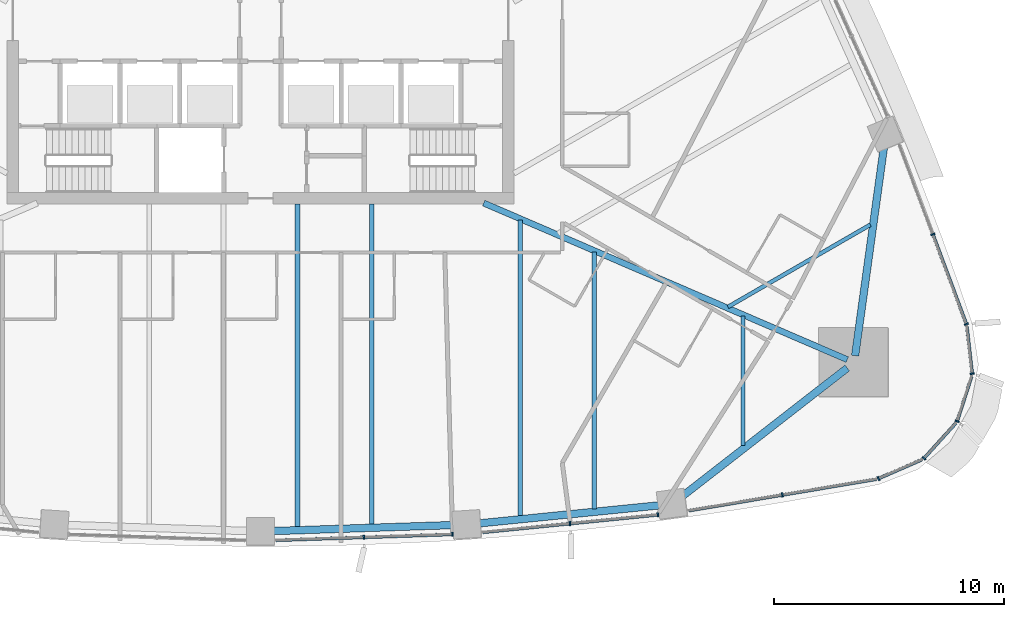
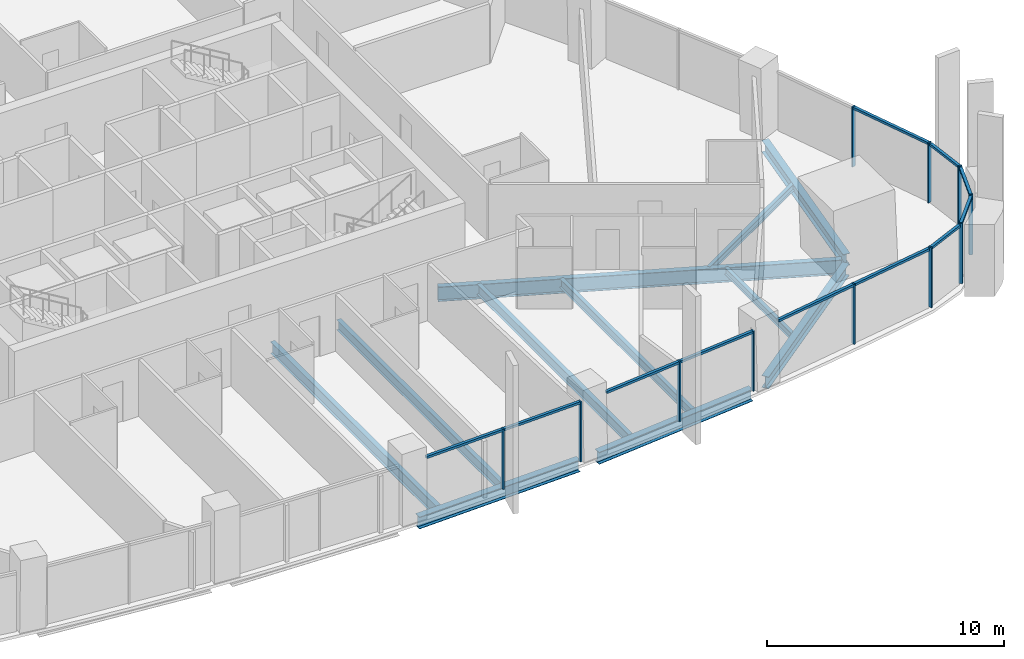
# One storey, part 4 of 22: 22 members, 11 beams, 8 elements without a shape of their own.
"""IFC4 building model written with IfcOpenShell, lengths in metres."""

from ifc_helpers import new_model, si_unit, direction, frame, origin, origin_2d, place, context, subcontext, project, spatial, rectangle, i_section, extrude, material, layer, layer_set, material_profile, profile_set, type_object, element, aggregate, save


model = new_model("IFC4")

# Units and contexts
model_context = context("Model", 3, precision=1e-05, world=origin(), true_north=direction((0.0, 1.0)))
body_context = subcontext(model_context, "Body", "Model", "MODEL_VIEW")
ifc_project = project(units=[si_unit("LENGTHUNIT", "METRE"), si_unit("AREAUNIT", "SQUARE_METRE"), si_unit("VOLUMEUNIT", "CUBIC_METRE"), si_unit("PLANEANGLEUNIT", "RADIAN"), si_unit("MASSUNIT", "GRAM", prefix="KILO")], contexts=[model_context])

# Site, building, storey
site_placement = place(None, origin())
site = spatial("IfcSite", under=ifc_project, at=site_placement, CompositionType="ELEMENT")
building_placement = place(site_placement, origin())
building = spatial("IfcBuilding", under=site, at=building_placement, Name="Sierra Prisma Convention Tower", CompositionType="ELEMENT")
storey_placement = place(building_placement, frame((0.0, 0.0, 96.10009765625)))
storey = spatial("IfcBuildingStorey", under=building, at=storey_placement, Name="L20", CompositionType="ELEMENT", Elevation=96.10009765625)

# Curtain wall, members
ifc_material_1 = material(Name="Aluminium and glass curtain wall", Category="aluminium")
ifc_layer = layer(ifc_material_1, 0.179931640625)
ifc_layer_set = layer_set([ifc_layer], Name="CW-1 Plain shaft curtain wall")
curtain_wall_type = type_object("IfcCurtainWallType", Name="CW-1 Plain shaft curtain wall", PredefinedType="NOTDEFINED", material=ifc_layer_set)
curtain_wall_1_placement = place(storey_placement, origin())
curtain_wall_1 = element("IfcCurtainWall", 1, at=curtain_wall_1_placement, inside=storey, type_object=curtain_wall_type, Name="CW-1 S4 L20", PredefinedType="NOTDEFINED")
ifc_material_2 = material(Name="Aluminium 6063-T6 bronze anodised", Category="aluminium")
ifc_material_profile_1 = material_profile(ifc_material_2, rectangle(XDim=0.179931640625, YDim=0.070068359375, at=origin_2d()), Name="ALU MULLION 70x180")
ifc_profile_set_1 = profile_set([ifc_material_profile_1], Name="Aluminium 6063-T6 bronze anodised")
member_type_1 = type_object("IfcMemberType", Name="CW mullion bronze", PredefinedType="MULLION", material=ifc_profile_set_1)
member_1_placement = place(storey_placement, frame((4.485595703125, -22.460693359375, 0.0), z_axis=(0.0, 0.0, 1.0), x_axis=(-0.033258631213, 0.999446778698, 0.0)))
member_1 = element("IfcMember", 2, at=member_1_placement, type_object=member_type_1, Name="CW-1 mullion S4.2", PredefinedType="MULLION", context=body_context, shape_type="SweptSolid", body=[
    extrude(rectangle(XDim=0.179931640625, YDim=0.070068359375, at=origin_2d()), origin(), (0.0, 0.0, 1.0), 3.099853515625),
])
member_2_placement = place(storey_placement, frame((8.33642578125, -22.33251953125, 0.0), z_axis=(0.0, 0.0, 1.0), x_axis=(-0.033258631213, 0.999446778698, 0.0)))
member_2 = element("IfcMember", 3, at=member_2_placement, type_object=member_type_1, Name="CW-1 mullion S4.3", PredefinedType="MULLION", context=body_context, shape_type="SweptSolid", body=[
    extrude(rectangle(XDim=0.179931640625, YDim=0.070068359375, at=origin_2d()), origin(), (0.0, 0.0, 1.0), 3.099853515625),
])

curtain_wall_2_placement = place(storey_placement, origin())
curtain_wall_2 = element("IfcCurtainWall", 4, at=curtain_wall_2_placement, inside=storey, type_object=curtain_wall_type, Name="CW-1 S5 L20", PredefinedType="NOTDEFINED")
member_3_placement = place(storey_placement, frame((13.43359375, -21.865478515625, 0.0), z_axis=(0.0, 0.0, 1.0), x_axis=(-0.099628739306, 0.995024680249, 0.0)))
member_3 = element("IfcMember", 5, at=member_3_placement, type_object=member_type_1, Name="CW-1 mullion S5.2", PredefinedType="MULLION", context=body_context, shape_type="SweptSolid", body=[
    extrude(rectangle(XDim=0.179931640625, YDim=0.070068359375, at=origin_2d()), origin(), (0.0, 0.0, 1.0), 3.099853515625),
])
member_4_placement = place(storey_placement, frame((17.25146484375, -21.483154296875, 0.0), z_axis=(0.0, 0.0, 1.0), x_axis=(-0.099628739306, 0.995024680249, 0.0)))
member_4 = element("IfcMember", 6, at=member_4_placement, type_object=member_type_1, Name="CW-1 mullion S5.3", PredefinedType="MULLION", context=body_context, shape_type="SweptSolid", body=[
    extrude(rectangle(XDim=0.179931640625, YDim=0.070068359375, at=origin_2d()), origin(), (0.0, 0.0, 1.0), 3.099853515625),
])

# Curtain wall, member
curtain_wall_3_placement = place(storey_placement, origin())
curtain_wall_3 = element("IfcCurtainWall", 7, at=curtain_wall_3_placement, inside=storey, type_object=curtain_wall_type, Name="CW-1 S6 L20", PredefinedType="NOTDEFINED")
member_5_placement = place(storey_placement, frame((22.656494140625, -20.621826171875, 0.0), z_axis=(0.0, 0.0, 1.0), x_axis=(-0.165558035421, 0.986200049132, 0.0)))
member_5 = element("IfcMember", 8, at=member_5_placement, type_object=member_type_1, Name="CW-1 mullion S6.2", PredefinedType="MULLION", context=body_context, shape_type="SweptSolid", body=[
    extrude(rectangle(XDim=0.179931640625, YDim=0.070068359375, at=origin_2d()), origin(), (0.0, 0.0, 1.0), 3.099853515625),
])

curtain_wall_4_placement = place(storey_placement, origin())
curtain_wall_4 = element("IfcCurtainWall", 9, at=curtain_wall_4_placement, inside=storey, type_object=curtain_wall_type, Name="CW-1 SE1 L20", PredefinedType="NOTDEFINED")
member_6_placement = place(storey_placement, frame((26.8251953125, -19.913330078125, 0.0), z_axis=(0.0, 0.0, 1.0), x_axis=(-0.399976158907, 0.916525543728, 0.0)))
member_6 = element("IfcMember", 10, at=member_6_placement, type_object=member_type_1, Name="CW-1 mullion SE1.1", PredefinedType="MULLION", context=body_context, shape_type="SweptSolid", body=[
    extrude(rectangle(XDim=0.179931640625, YDim=0.070068359375, at=origin_2d()), origin(), (0.0, 0.0, 1.0), 3.099853515625),
])

curtain_wall_5_placement = place(storey_placement, origin())
curtain_wall_5 = element("IfcCurtainWall", 11, at=curtain_wall_5_placement, inside=storey, type_object=curtain_wall_type, Name="CW-1 SE2 L20", PredefinedType="NOTDEFINED")
member_7_placement = place(storey_placement, frame((28.802001953125, -19.034912109375, 0.0), z_axis=(0.0, 0.0, 1.0), x_axis=(-0.741494686193, 0.670958739676, 0.0)))
member_7 = element("IfcMember", 12, at=member_7_placement, type_object=member_type_1, Name="CW-1 mullion SE2.1", PredefinedType="MULLION", context=body_context, shape_type="SweptSolid", body=[
    extrude(rectangle(XDim=0.179931640625, YDim=0.070068359375, at=origin_2d()), origin(), (0.0, 0.0, 1.0), 3.099853515625),
])

curtain_wall_6_placement = place(storey_placement, origin())
curtain_wall_6 = element("IfcCurtainWall", 13, at=curtain_wall_6_placement, inside=storey, type_object=curtain_wall_type, Name="CW-1 SE3 L20", PredefinedType="NOTDEFINED")
member_8_placement = place(storey_placement, frame((30.242919921875, -17.421142578125, 0.0), z_axis=(0.0, 0.0, 1.0), x_axis=(-0.951814656547, 0.306673865177, 0.0)))
member_8 = element("IfcMember", 14, at=member_8_placement, type_object=member_type_1, Name="CW-1 mullion SE3.1", PredefinedType="MULLION", context=body_context, shape_type="SweptSolid", body=[
    extrude(rectangle(XDim=0.179931640625, YDim=0.070068359375, at=origin_2d()), origin(), (0.0, 0.0, 1.0), 3.099853515625),
])

curtain_wall_7_placement = place(storey_placement, origin())
curtain_wall_7 = element("IfcCurtainWall", 15, at=curtain_wall_7_placement, inside=storey, type_object=curtain_wall_type, Name="CW-1 SE4 L20", PredefinedType="NOTDEFINED")
member_9_placement = place(storey_placement, frame((30.892578125, -15.35791015625, 0.0), z_axis=(0.0, 0.0, 1.0), x_axis=(-0.993722483539, -0.111873257343, 0.0)))
member_9 = element("IfcMember", 16, at=member_9_placement, type_object=member_type_1, Name="CW-1 mullion SE4.1", PredefinedType="MULLION", context=body_context, shape_type="SweptSolid", body=[
    extrude(rectangle(XDim=0.179931640625, YDim=0.070068359375, at=origin_2d()), origin(), (0.0, 0.0, 1.0), 3.099853515625),
])

# Curtain wall, members
curtain_wall_8_placement = place(storey_placement, origin())
curtain_wall_8 = element("IfcCurtainWall", 17, at=curtain_wall_8_placement, inside=storey, type_object=curtain_wall_type, Name="CW-1 NE1 L20", PredefinedType="NOTDEFINED")
member_10_placement = place(storey_placement, frame((30.641845703125, -13.20703125, 0.0), z_axis=(0.0, 0.0, 1.0), x_axis=(-0.936853313472, -0.34972256009, 0.0)))
member_10 = element("IfcMember", 18, at=member_10_placement, type_object=member_type_1, Name="CW-1 mullion NE1.1", PredefinedType="MULLION", context=body_context, shape_type="SweptSolid", body=[
    extrude(rectangle(XDim=0.179931640625, YDim=0.070068359375, at=origin_2d()), origin(), (0.0, 0.0, 1.0), 3.099853515625),
])
member_11_placement = place(storey_placement, frame((29.187255859375, -9.310302734375, 0.0), z_axis=(0.0, 0.0, 1.0), x_axis=(-0.936853313472, -0.34972256009, 0.0)))
member_11 = element("IfcMember", 19, at=member_11_placement, type_object=member_type_1, Name="CW-1 mullion NE1.2", PredefinedType="MULLION", context=body_context, shape_type="SweptSolid", body=[
    extrude(rectangle(XDim=0.179931640625, YDim=0.070068359375, at=origin_2d()), origin(), (0.0, 0.0, 1.0), 3.099853515625),
])

# Member
ifc_material_3 = material(Name="Aluminium 6063-T6 bronze anodised", Category="aluminium")
ifc_material_profile_2 = material_profile(ifc_material_3, rectangle(XDim=0.139892578125, YDim=0.1201171875, at=origin_2d()), Name="ALU TRANSOM 120x140")
ifc_profile_set_2 = profile_set([ifc_material_profile_2], Name="Aluminium 6063-T6 bronze anodised")
member_type_2 = type_object("IfcMemberType", Name="CW transom bronze", PredefinedType="USERDEFINED", material=ifc_profile_set_2)
member_12_placement = place(storey_placement, frame((0.669677734375, -22.587646484375, 3.039794921875), z_axis=(0.999447553962, 0.033235325776, 0.0), x_axis=(-0.033235325776, 0.999447553962, 0.0)))
member_12 = element("IfcMember", 20, at=member_12_placement, type_object=member_type_2, Name="CW-1 transom S4.1", ObjectType="TRANSOM", PredefinedType="USERDEFINED", context=body_context, shape_type="SweptSolid", body=[
    extrude(rectangle(XDim=0.139892578125, YDim=0.1201171875, at=origin_2d()), origin(), (0.0, 0.0, 1.0), 3.783203125),
])

member_13_placement = place(storey_placement, frame((4.5205078125, -22.45947265625, 3.039794921875), z_axis=(0.999447553962, 0.033235325776, 0.0), x_axis=(-0.033235325776, 0.999447553962, 0.0)))
member_13 = element("IfcMember", 21, at=member_13_placement, type_object=member_type_2, Name="CW-1 transom S4.2", ObjectType="TRANSOM", PredefinedType="USERDEFINED", context=body_context, shape_type="SweptSolid", body=[
    extrude(rectangle(XDim=0.139892578125, YDim=0.1201171875, at=origin_2d()), origin(), (0.0, 0.0, 1.0), 3.783203125),
])

aggregate(curtain_wall_1, [member_1, member_2, member_12, member_13])

member_14_placement = place(storey_placement, frame((9.650634765625, -22.244384765625, 3.039794921875), z_axis=(0.995019205845, 0.099683398814, 0.0), x_axis=(-0.099683398814, 0.995019205845, 0.0)))
member_14 = element("IfcMember", 22, at=member_14_placement, type_object=member_type_2, Name="CW-1 transom S5.1", ObjectType="TRANSOM", PredefinedType="USERDEFINED", context=body_context, shape_type="SweptSolid", body=[
    extrude(rectangle(XDim=0.139892578125, YDim=0.1201171875, at=origin_2d()), origin(), (0.0, 0.0, 1.0), 3.766845703125),
])

member_15_placement = place(storey_placement, frame((13.468505859375, -21.862060546875, 3.039794921875), z_axis=(0.995025632483, 0.099619228578, 0.0), x_axis=(-0.099619228578, 0.995025632483, 0.0)))
member_15 = element("IfcMember", 23, at=member_15_placement, type_object=member_type_2, Name="CW-1 transom S5.2", ObjectType="TRANSOM", PredefinedType="USERDEFINED", context=body_context, shape_type="SweptSolid", body=[
    extrude(rectangle(XDim=0.139892578125, YDim=0.1201171875, at=origin_2d()), origin(), (0.0, 0.0, 1.0), 3.766845703125),
])

aggregate(curtain_wall_2, [member_3, member_4, member_14, member_15])

member_16_placement = place(storey_placement, frame((18.589111328125, -21.304443359375, 3.039794921875), z_axis=(0.986201239641, 0.165550943612, 0.0), x_axis=(-0.165550943612, 0.986201239641, 0.0)))
member_16 = element("IfcMember", 24, at=member_16_placement, type_object=member_type_2, Name="CW-1 transom S6.1", ObjectType="TRANSOM", PredefinedType="USERDEFINED", context=body_context, shape_type="SweptSolid", body=[
    extrude(rectangle(XDim=0.139892578125, YDim=0.1201171875, at=origin_2d()), origin(), (0.0, 0.0, 1.0), 4.08935546875),
])

member_17_placement = place(storey_placement, frame((22.691162109375, -20.615966796875, 3.039794921875), z_axis=(0.986201239641, 0.165550943612, 0.0), x_axis=(-0.165550943612, 0.986201239641, 0.0)))
member_17 = element("IfcMember", 25, at=member_17_placement, type_object=member_type_2, Name="CW-1 transom S6.2", ObjectType="TRANSOM", PredefinedType="USERDEFINED", context=body_context, shape_type="SweptSolid", body=[
    extrude(rectangle(XDim=0.139892578125, YDim=0.1201171875, at=origin_2d()), origin(), (0.0, 0.0, 1.0), 4.08935546875),
])

aggregate(curtain_wall_3, [member_5, member_16, member_17])

member_18_placement = place(storey_placement, frame((26.857421875, -19.899169921875, 3.039794921875), z_axis=(0.916538575244, 0.399946296507, 0.0), x_axis=(-0.399946296507, 0.916538575244, 0.0)))
member_18 = element("IfcMember", 26, at=member_18_placement, type_object=member_type_2, Name="CW-1 transom SE1.1", ObjectType="TRANSOM", PredefinedType="USERDEFINED", context=body_context, shape_type="SweptSolid", body=[
    extrude(rectangle(XDim=0.139892578125, YDim=0.1201171875, at=origin_2d()), origin(), (0.0, 0.0, 1.0), 2.026123046875),
])

aggregate(curtain_wall_4, [member_6, member_18])

member_19_placement = place(storey_placement, frame((28.82568359375, -19.009033203125, 3.039794921875), z_axis=(0.670859689927, 0.741584301635, 0.0), x_axis=(-0.741584301635, 0.670859689927, 0.0)))
member_19 = element("IfcMember", 27, at=member_19_placement, type_object=member_type_2, Name="CW-1 transom SE2.1", ObjectType="TRANSOM", PredefinedType="USERDEFINED", context=body_context, shape_type="SweptSolid", body=[
    extrude(rectangle(XDim=0.139892578125, YDim=0.1201171875, at=origin_2d()), origin(), (0.0, 0.0, 1.0), 2.0263671875),
])

aggregate(curtain_wall_5, [member_7, member_19])

member_20_placement = place(storey_placement, frame((30.253662109375, -17.387939453125, 3.039794921875), z_axis=(0.306633127039, 0.951827781378, 0.0), x_axis=(-0.951827781378, 0.306633127039, 0.0)))
member_20 = element("IfcMember", 28, at=member_20_placement, type_object=member_type_2, Name="CW-1 transom SE3.1", ObjectType="TRANSOM", PredefinedType="USERDEFINED", context=body_context, shape_type="SweptSolid", body=[
    extrude(rectangle(XDim=0.139892578125, YDim=0.1201171875, at=origin_2d()), origin(), (0.0, 0.0, 1.0), 2.0263671875),
])

aggregate(curtain_wall_6, [member_8, member_20])

member_21_placement = place(storey_placement, frame((30.888671875, -15.322998046875, 3.039794921875), z_axis=(-0.111939045063, 0.993715074954, 0.0), x_axis=(-0.993715074954, -0.111939045063, 0.0)))
member_21 = element("IfcMember", 29, at=member_21_placement, type_object=member_type_2, Name="CW-1 transom SE4.1", ObjectType="TRANSOM", PredefinedType="USERDEFINED", context=body_context, shape_type="SweptSolid", body=[
    extrude(rectangle(XDim=0.139892578125, YDim=0.1201171875, at=origin_2d()), origin(), (0.0, 0.0, 1.0), 2.026123046875),
])

aggregate(curtain_wall_7, [member_9, member_21])

member_22_placement = place(storey_placement, frame((30.629638671875, -13.17431640625, 3.039794921875), z_axis=(-0.349716440025, 0.936855598039, 0.0), x_axis=(-0.936855598039, -0.349716440025, 0.0)))
member_22 = element("IfcMember", 30, at=member_22_placement, type_object=member_type_2, Name="CW-1 transom NE1.1", ObjectType="TRANSOM", PredefinedType="USERDEFINED", context=body_context, shape_type="SweptSolid", body=[
    extrude(rectangle(XDim=0.139892578125, YDim=0.1201171875, at=origin_2d()), origin(), (0.0, 0.0, 1.0), 4.089599609375),
])

aggregate(curtain_wall_8, [member_10, member_11, member_22])

# Beams
ifc_material_4 = material(Name="Steel ASTM A992 Gr 50", Category="steel")
ifc_material_profile_3 = material_profile(ifc_material_4, i_section(OverallWidth=0.172119140625, OverallDepth=0.35791015625, WebThickness=0.0078125, FlangeThickness=0.01318359375, at=origin_2d()), Name="W360x57")
ifc_profile_set_3 = profile_set([ifc_material_profile_3], Name="Steel ASTM A992 Gr 50")
beam_type_1 = type_object("IfcBeamType", Name="Floor joist W360x57", PredefinedType="JOIST", material=ifc_profile_set_3)
beam_1_placement = place(storey_placement, frame((20.93994140625, -18.48046875, -0.3291015625), z_axis=(0.0, 1.0, 0.0), x_axis=(-1.0, 0.0, 0.0)))
element("IfcBeam", 31, at=beam_1_placement, inside=storey, type_object=beam_type_1, Name="Floor joist L20 S15", PredefinedType="JOIST", context=body_context, shape_type="SweptSolid", body=[
    extrude(i_section(OverallWidth=0.172119140625, OverallDepth=0.35791015625, WebThickness=0.0078125, FlangeThickness=0.01318359375, at=origin_2d()), origin(), (0.0, 0.0, 1.0), 5.62451171875),
])
beam_2_placement = place(storey_placement, frame((26.474609375, -8.89404296875, -0.3291015625), z_axis=(-0.866019805275, -0.500009696777, 0.0), x_axis=(0.500009696777, -0.866019805275, 0.0)))
element("IfcBeam", 32, at=beam_2_placement, inside=storey, type_object=beam_type_1, Name="Floor joist L20 NE02", PredefinedType="JOIST", context=body_context, shape_type="SweptSolid", body=[
    extrude(i_section(OverallWidth=0.172119140625, OverallDepth=0.35791015625, WebThickness=0.0078125, FlangeThickness=0.01318359375, at=origin_2d()), origin(), (0.0, 0.0, 1.0), 7.136474609375),
])
ifc_material_5 = material(Name="Steel ASTM A992 Gr 50", Category="steel")
ifc_material_profile_4 = material_profile(ifc_material_5, i_section(OverallWidth=0.18994140625, OverallDepth=0.45703125, WebThickness=0.009033203125, FlangeThickness=0.014404296875, at=origin_2d()), Name="W460x74")
ifc_profile_set_4 = profile_set([ifc_material_profile_4], Name="Steel ASTM A992 Gr 50")
beam_type_2 = type_object("IfcBeamType", Name="Floor joist W460x74", PredefinedType="JOIST", material=ifc_profile_set_4)
beam_3_placement = place(storey_placement, frame((14.496826171875, -21.243896484375, -0.378662109375), z_axis=(0.0, 1.0, 0.0), x_axis=(-1.0, 0.0, 0.0)))
element("IfcBeam", 33, at=beam_3_placement, inside=storey, type_object=beam_type_2, Name="Floor joist L20 S13", PredefinedType="JOIST", context=body_context, shape_type="SweptSolid", body=[
    extrude(i_section(OverallWidth=0.18994140625, OverallDepth=0.45703125, WebThickness=0.009033203125, FlangeThickness=0.014404296875, at=origin_2d()), origin(), (0.0, 0.0, 1.0), 11.1630859375),
])
ifc_material_6 = material(Name="Steel ASTM A992 Gr 50", Category="steel")
ifc_material_profile_5 = material_profile(ifc_material_6, i_section(OverallWidth=0.208984375, OverallDepth=0.532958984375, WebThickness=0.01025390625, FlangeThickness=0.015625, at=origin_2d()), Name="W530x92")
ifc_profile_set_5 = profile_set([ifc_material_profile_5], Name="Steel ASTM A992 Gr 50")
beam_type_3 = type_object("IfcBeamType", Name="Floor joist W530x92", PredefinedType="JOIST", material=ifc_profile_set_5)
beam_4_placement = place(storey_placement, frame((4.832275390625, -21.9365234375, -0.41650390625), z_axis=(0.0, 1.0, 0.0), x_axis=(-1.0, 0.0, 0.0)))
element("IfcBeam", 34, at=beam_4_placement, inside=storey, type_object=beam_type_3, Name="Floor joist L20 S10", PredefinedType="JOIST", context=body_context, shape_type="SweptSolid", body=[
    extrude(i_section(OverallWidth=0.208984375, OverallDepth=0.532958984375, WebThickness=0.01025390625, FlangeThickness=0.015625, at=origin_2d()), origin(), (0.0, 0.0, 1.0), 13.9365234375),
])
beam_5_placement = place(storey_placement, frame((11.275390625, -21.56640625, -0.41650390625), z_axis=(0.0, 1.0, 0.0), x_axis=(-1.0, 0.0, 0.0)))
element("IfcBeam", 35, at=beam_5_placement, inside=storey, type_object=beam_type_3, Name="Floor joist L20 S12", PredefinedType="JOIST", context=body_context, shape_type="SweptSolid", body=[
    extrude(i_section(OverallWidth=0.208984375, OverallDepth=0.532958984375, WebThickness=0.01025390625, FlangeThickness=0.015625, at=origin_2d()), origin(), (0.0, 0.0, 1.0), 12.873291015625),
])
ifc_material_7 = material(Name="Steel ASTM A992 Gr 50", Category="steel")
ifc_material_profile_6 = material_profile(ifc_material_7, i_section(OverallWidth=0.22802734375, OverallDepth=0.60302734375, WebThickness=0.010498046875, FlangeThickness=0.014892578125, at=origin_2d()), Name="W610x101")
ifc_profile_set_6 = profile_set([ifc_material_profile_6], Name="Steel ASTM A992 Gr 50")
beam_type_4 = type_object("IfcBeamType", Name="Floor joist W610x101", PredefinedType="JOIST", material=ifc_profile_set_6)
beam_6_placement = place(storey_placement, frame((1.61083984375, -22.043701171875, -0.45166015625), z_axis=(0.0, 1.0, 0.0), x_axis=(-1.0, 0.0, 0.0)))
element("IfcBeam", 36, at=beam_6_placement, inside=storey, type_object=beam_type_4, Name="Floor joist L20 S09", PredefinedType="JOIST", context=body_context, shape_type="SweptSolid", body=[
    extrude(i_section(OverallWidth=0.22802734375, OverallDepth=0.60302734375, WebThickness=0.010498046875, FlangeThickness=0.014892578125, at=origin_2d()), origin(), (0.0, 0.0, 1.0), 14.043701171875),
])
ifc_material_8 = material(Name="Steel ASTM A992 Gr 50", Category="steel")
ifc_material_profile_7 = material_profile(ifc_material_8, i_section(OverallWidth=0.264892578125, OverallDepth=0.7529296875, WebThickness=0.01318359375, FlangeThickness=0.01708984375, at=origin_2d()), Name="W760x147")
ifc_profile_set_7 = profile_set([ifc_material_profile_7], Name="Steel ASTM A992 Gr 50")
beam_type_5 = type_object("IfcBeamType", Name="Radial girder W760x147", PredefinedType="BEAM", material=ifc_profile_set_7)
beam_7_placement = place(storey_placement, frame((25.47216796875, -14.750244140625, -0.526611328125), z_axis=(-0.918433660325, 0.395575039128, 0.0), x_axis=(-0.395575039128, -0.918433660325, 0.0)))
element("IfcBeam", 37, at=beam_7_placement, inside=storey, type_object=beam_type_5, Name="Radial girder L20 SE", PredefinedType="BEAM", context=body_context, shape_type="SweptSolid", body=[
    extrude(i_section(OverallWidth=0.264892578125, OverallDepth=0.7529296875, WebThickness=0.01318359375, FlangeThickness=0.01708984375, at=origin_2d()), origin(), (0.0, 0.0, 1.0), 17.18408203125),
])
ifc_material_9 = material(Name="Steel ASTM A992 Gr 50", Category="steel")
ifc_material_profile_8 = material_profile(ifc_material_9, i_section(OverallWidth=0.324951171875, OverallDepth=0.615966796875, WebThickness=0.013916015625, FlangeThickness=0.021484375, at=origin_2d()), Name="W610x174")
ifc_profile_set_8 = profile_set([ifc_material_profile_8], Name="Steel ASTM A992 Gr 50")
beam_type_6 = type_object("IfcBeamType", Name="Spandrel beam W610x174", PredefinedType="BEAM", material=ifc_profile_set_8)
for number, where, z_axis, x_axis, name in (
    (38, (0.47998046875, -22.194091796875, -0.4580078125), (0.999446835516, 0.033256923733, 0.0), (-0.033256923733, 0.999446835516, 0.0), "Spandrel L20-04"),
    (39, (9.435302734375, -21.864013671875, -0.4580078125), (0.995025704191, 0.099618512332, 0.0), (-0.099618512332, 0.995025704191, 0.0), "Spandrel L20-05"),
):
    element("IfcBeam", number, at=place(storey_placement, frame(where, z_axis=z_axis, x_axis=x_axis)), inside=storey, type_object=beam_type_6, Name=name, PredefinedType="BEAM", context=body_context, shape_type="SweptSolid", body=[
        extrude(i_section(OverallWidth=0.324951171875, OverallDepth=0.615966796875, WebThickness=0.013916015625, FlangeThickness=0.021484375, at=origin_2d()), origin(), (0.0, 0.0, 1.0), 8.001708984375),
    ])
beam_8_placement = place(storey_placement, frame((18.328857421875, -20.666259765625, -0.4580078125), z_axis=(0.789482961149, 0.613772477434, 0.0), x_axis=(-0.613772477434, 0.789482961149, 0.0)))
element("IfcBeam", 40, at=beam_8_placement, inside=storey, type_object=beam_type_6, Name="Spandrel L20-06", PredefinedType="BEAM", context=body_context, shape_type="SweptSolid", body=[
    extrude(i_section(OverallWidth=0.324951171875, OverallDepth=0.615966796875, WebThickness=0.013916015625, FlangeThickness=0.021484375, at=origin_2d()), origin(), (0.0, 0.0, 1.0), 9.048095703125),
])
beam_9_placement = place(storey_placement, frame((25.8134765625, -14.57958984375, -0.4580078125), z_axis=(0.136816645485, 0.990596388807, 0.0), x_axis=(-0.990596388807, 0.136816645485, 0.0)))
element("IfcBeam", 41, at=beam_9_placement, inside=storey, type_object=beam_type_6, Name="Spandrel L20-07", PredefinedType="BEAM", context=body_context, shape_type="SweptSolid", body=[
    extrude(i_section(OverallWidth=0.324951171875, OverallDepth=0.615966796875, WebThickness=0.013916015625, FlangeThickness=0.021484375, at=origin_2d()), origin(), (0.0, 0.0, 1.0), 9.12548828125),
])

save(model, "model.ifc")
